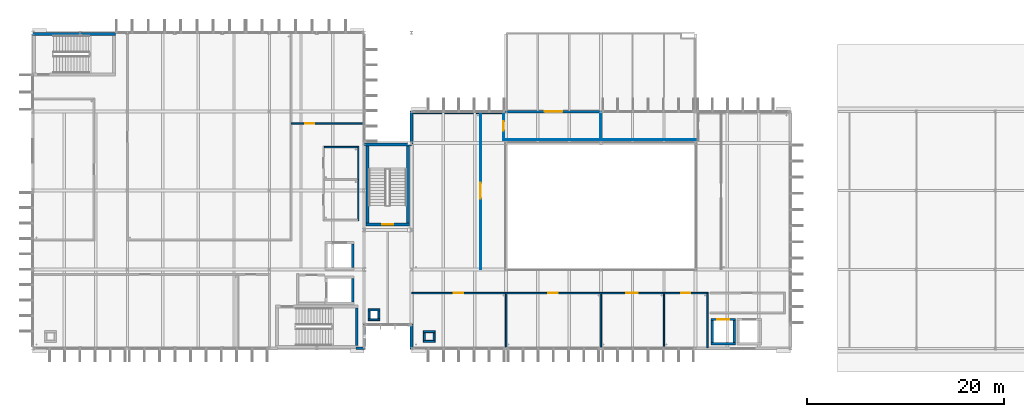
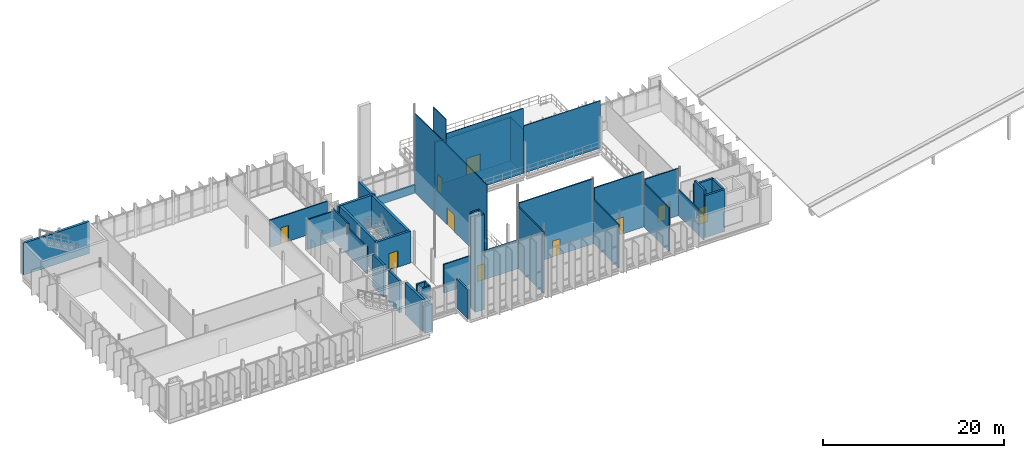
# One storey, part 23 of 41: 43 walls, 10 doors, 10 openings.
"""IFC4 building model written with IfcOpenShell, lengths in metres."""

from ifc_helpers import new_model, si_unit, direction, frame, frame_2d, origin, place, context, subcontext, project, spatial, rectangle, extrude, material, layer, layer_set, type_object, element, fill, save


model = new_model("IFC4")

# Units and contexts
model_context = context("Model", 3, precision=1e-05, world=origin(), true_north=direction((0.0, 1.0)))
body_context = subcontext(model_context, "Body", "Model", "MODEL_VIEW")
ifc_project = project(units=[si_unit("LENGTHUNIT", "METRE"), si_unit("AREAUNIT", "SQUARE_METRE"), si_unit("VOLUMEUNIT", "CUBIC_METRE"), si_unit("PLANEANGLEUNIT", "RADIAN"), si_unit("MASSUNIT", "GRAM", prefix="KILO")], contexts=[model_context])

# Site, building, storey
site_placement = place(None, origin())
site = spatial("IfcSite", under=ifc_project, at=site_placement, CompositionType="ELEMENT")
building_placement = place(site_placement, origin())
building = spatial("IfcBuilding", under=site, at=building_placement, Name="Dunescarp Central Library", CompositionType="ELEMENT")
storey_placement = place(building_placement, frame((0.0, 0.0, 23.10009765625)))
storey = spatial("IfcBuildingStorey", under=building, at=storey_placement, Name="L05", CompositionType="ELEMENT", Elevation=23.10009765625)

# Wall, opening, door
ifc_material_1 = material(Name="Gypsum plasterboard acoustic partition")
ifc_layer_1 = layer(ifc_material_1, 0.14990234375)
ifc_layer_set_1 = layer_set([ifc_layer_1], Name="Gypsum plasterboard acoustic partition")
wall_type_1 = type_object("IfcWallType", Name="ARC-PT-AC150", PredefinedType="PARTITIONING", material=ifc_layer_set_1)
wall_1_placement = place(storey_placement, frame((26.199951171875, 27.60009765625, 0.0), z_axis=(0.0, 0.0, 1.0), x_axis=(1.0, 0.0, 0.0)))
wall_1 = element("IfcWall", 1, at=wall_1_placement, inside=storey, type_object=wall_type_1, Name="L05 partition PT-L05-0132", PredefinedType="PARTITIONING", context=body_context, shape_type="SweptSolid", body=[
    extrude(rectangle(XDim=7.360107421875, YDim=0.14990234375, at=frame_2d((3.68017578125, 0.0))), origin(), (0.0, 0.0, 1.0), 3.661865234375),
])
opening_1_placement = place(wall_1_placement, frame((1.409912109375, 0.0, 0.0)))
opening_1 = element("IfcOpeningElement", 2, at=opening_1_placement, cuts=wall_1, Name="Opening DR-L05-0050", PredefinedType="OPENING", context=body_context, shape_type="SweptSolid", body=[
    extrude(rectangle(XDim=0.949951171875, YDim=2.14990234375, at=frame_2d((0.47509765625, 1.074951171875))), frame((0.0, 0.0849609375, 0.0), z_axis=(0.0, -1.0, 0.0), x_axis=(1.0, 0.0, 0.0)), (0.0, 0.0, 1.0), 0.169921875),
])
ifc_material_2 = material(Name="Hardwood solid-core timber leaf", Category="wood")
door_type_1 = type_object("IfcDoorType", Name="ARC-DR-INT950", OperationType="NOTDEFINED", PredefinedType="DOOR", material=ifc_material_2)
door_1_placement = place(opening_1_placement, origin())
door_1 = element("IfcDoor", 3, at=door_1_placement, inside=storey, type_object=door_type_1, Name="L05 interior door DR-L05-0050", OperationType="SINGLE_SWING_RIGHT", OverallHeight=2.14990234375, OverallWidth=0.949951171875, PredefinedType="DOOR", context=body_context, shape_type="SweptSolid", body=[
    extrude(rectangle(XDim=0.949951171875, YDim=2.14990234375, at=frame_2d((0.47509765625, 1.074951171875))), frame((0.0, 0.02490234375, 0.0), z_axis=(0.0, -1.0, 0.0), x_axis=(1.0, 0.0, 0.0)), (0.0, 0.0, 1.0), 0.050048828125),
])
fill(opening_1, door_1)

wall_2_placement = place(storey_placement, frame((38.43994140625, 10.39990234375, 0.0), z_axis=(0.0, 0.0, 1.0), x_axis=(1.0, 0.0, 0.0)))
wall_2 = element("IfcWall", 4, at=wall_2_placement, inside=storey, type_object=wall_type_1, Name="L05 partition PT-L05-0238", PredefinedType="PARTITIONING", context=body_context, shape_type="SweptSolid", body=[
    extrude(rectangle(XDim=9.485107421875, YDim=0.14990234375, at=frame_2d((4.74267578125, 0.0))), origin(), (0.0, 0.0, 1.0), 3.85888671875),
])
opening_2_placement = place(wall_2_placement, frame((4.26806640625, 0.0, 0.0)))
opening_2 = element("IfcOpeningElement", 5, at=opening_2_placement, cuts=wall_2, Name="Opening DR-L05-0098", PredefinedType="OPENING", context=body_context, shape_type="SweptSolid", body=[
    extrude(rectangle(XDim=0.949951171875, YDim=2.14990234375, at=frame_2d((0.47509765625, 1.074951171875))), frame((0.0, 0.0849609375, 0.0), z_axis=(0.0, -1.0, 0.0), x_axis=(1.0, 0.0, 0.0)), (0.0, 0.0, 1.0), 0.169921875),
])
door_2_placement = place(opening_2_placement, origin())
door_2 = element("IfcDoor", 6, at=door_2_placement, inside=storey, type_object=door_type_1, Name="L05 interior door DR-L05-0098", OperationType="SINGLE_SWING_RIGHT", OverallHeight=2.14990234375, OverallWidth=0.949951171875, PredefinedType="DOOR", context=body_context, shape_type="SweptSolid", body=[
    extrude(rectangle(XDim=0.949951171875, YDim=2.14990234375, at=frame_2d((0.47509765625, 1.074951171875))), frame((0.0, 0.02490234375, 0.0), z_axis=(0.0, -1.0, 0.0), x_axis=(1.0, 0.0, 0.0)), (0.0, 0.0, 1.0), 0.050048828125),
])
fill(opening_2, door_2)

# Wall
wall_3_placement = place(storey_placement, frame((48.0, 4.840087890625, 0.0), z_axis=(0.0, 0.0, 1.0), x_axis=(0.0, 1.0, 0.0)))
element("IfcWall", 7, at=wall_3_placement, inside=storey, type_object=wall_type_1, Name="L05 partition PT-L05-0239", PredefinedType="PARTITIONING", context=body_context, shape_type="SweptSolid", body=[
    extrude(rectangle(XDim=5.635009765625, YDim=0.14990234375, at=frame_2d((2.8173828125, 0.0))), origin(), (0.0, 0.0, 1.0), 8.27294921875),
])

# Wall, opening, door
wall_4_placement = place(storey_placement, frame((48.0, 10.39990234375, 0.0), z_axis=(0.0, 0.0, 1.0), x_axis=(1.0, 0.0, 0.0)))
wall_4 = element("IfcWall", 8, at=wall_4_placement, inside=storey, type_object=wall_type_1, Name="L05 partition PT-L05-0240", PredefinedType="PARTITIONING", context=body_context, shape_type="SweptSolid", body=[
    extrude(rectangle(XDim=9.52490234375, YDim=0.14990234375, at=frame_2d((4.762451171875, 0.0))), origin(), (0.0, 0.0, 1.0), 8.77392578125),
])
opening_3_placement = place(wall_4_placement, frame((4.287109375, 0.0, 0.0)))
opening_3 = element("IfcOpeningElement", 9, at=opening_3_placement, cuts=wall_4, Name="Opening DR-L05-0099", PredefinedType="OPENING", context=body_context, shape_type="SweptSolid", body=[
    extrude(rectangle(XDim=0.949951171875, YDim=2.14990234375, at=frame_2d((0.47509765625, 1.074951171875))), frame((0.0, 0.0849609375, 0.0), z_axis=(0.0, -1.0, 0.0), x_axis=(1.0, 0.0, 0.0)), (0.0, 0.0, 1.0), 0.169921875),
])
door_3_placement = place(opening_3_placement, origin())
door_3 = element("IfcDoor", 10, at=door_3_placement, inside=storey, type_object=door_type_1, Name="L05 interior door DR-L05-0099", OperationType="SINGLE_SWING_LEFT", OverallHeight=2.14990234375, OverallWidth=0.949951171875, PredefinedType="DOOR", context=body_context, shape_type="SweptSolid", body=[
    extrude(rectangle(XDim=0.949951171875, YDim=2.14990234375, at=frame_2d((0.47509765625, 1.074951171875))), frame((0.0, 0.02490234375, 0.0), z_axis=(0.0, -1.0, 0.0), x_axis=(1.0, 0.0, 0.0)), (0.0, 0.0, 1.0), 0.050048828125),
])
fill(opening_3, door_3)

# Wall
wall_5_placement = place(storey_placement, frame((57.60009765625, 4.840087890625, 0.0), z_axis=(0.0, 0.0, 1.0), x_axis=(0.0, 1.0, 0.0)))
element("IfcWall", 11, at=wall_5_placement, inside=storey, type_object=wall_type_1, Name="L05 partition PT-L05-0241", PredefinedType="PARTITIONING", context=body_context, shape_type="SweptSolid", body=[
    extrude(rectangle(XDim=5.635009765625, YDim=0.14990234375, at=frame_2d((2.8173828125, 0.0))), origin(), (0.0, 0.0, 1.0), 5.872802734375),
])

# Wall, opening, door
wall_6_placement = place(storey_placement, frame((57.60009765625, 10.39990234375, 0.0), z_axis=(0.0, 0.0, 1.0), x_axis=(1.0, 0.0, 0.0)))
wall_6 = element("IfcWall", 12, at=wall_6_placement, inside=storey, type_object=wall_type_1, Name="L05 partition PT-L05-0242", PredefinedType="PARTITIONING", context=body_context, shape_type="SweptSolid", body=[
    extrude(rectangle(XDim=6.324951171875, YDim=0.14990234375, at=frame_2d((3.16259765625, 0.0))), origin(), (0.0, 0.0, 1.0), 7.451904296875),
])
opening_4_placement = place(wall_6_placement, frame((2.5869140625, 0.0, 0.0)))
opening_4 = element("IfcOpeningElement", 13, at=opening_4_placement, cuts=wall_6, Name="Opening DR-L05-0100", PredefinedType="OPENING", context=body_context, shape_type="SweptSolid", body=[
    extrude(rectangle(XDim=1.14990234375, YDim=2.25, at=frame_2d((0.574951171875, 1.125))), frame((0.0, 0.0849609375, 0.0), z_axis=(0.0, -1.0, 0.0), x_axis=(1.0, 0.0, 0.0)), (0.0, 0.0, 1.0), 0.169921875),
])
door_type_2 = type_object("IfcDoorType", Name="ARC-DR-STD1150", OperationType="NOTDEFINED", PredefinedType="DOOR", material=ifc_material_2)
door_4_placement = place(opening_4_placement, origin())
door_4 = element("IfcDoor", 14, at=door_4_placement, inside=storey, type_object=door_type_2, Name="L05 interior door DR-L05-0100", OperationType="SINGLE_SWING_RIGHT", OverallHeight=2.25, OverallWidth=1.14990234375, PredefinedType="DOOR", context=body_context, shape_type="SweptSolid", body=[
    extrude(rectangle(XDim=1.14990234375, YDim=2.25, at=frame_2d((0.574951171875, 1.125))), frame((0.0, 0.02490234375, 0.0), z_axis=(0.0, -1.0, 0.0), x_axis=(1.0, 0.0, 0.0)), (0.0, 0.0, 1.0), 0.050048828125),
])
fill(opening_4, door_4)

ifc_material_3 = material(Name="Solar-control laminated double glazing", Category="glass")
ifc_layer_2 = layer(ifc_material_3, 0.10009765625)
ifc_layer_set_2 = layer_set([ifc_layer_2], Name="Solar-control laminated double glazing")
wall_type_2 = type_object("IfcWallType", Name="ARC-PT-GLZ100", PredefinedType="MOVABLE", material=ifc_layer_set_2)
wall_7_placement = place(storey_placement, frame((45.39990234375, 12.800048828125, 0.0), z_axis=(0.0, 0.0, 1.0), x_axis=(0.0, 1.0, 0.0)))
wall_7 = element("IfcWall", 15, at=wall_7_placement, inside=storey, type_object=wall_type_2, Name="L05 partition PT-L05-0246", PredefinedType="MOVABLE", context=body_context, shape_type="SweptSolid", body=[
    extrude(rectangle(XDim=15.9599609375, YDim=0.10009765625, at=frame_2d((7.97998046875, 0.0))), origin(), (0.0, 0.0, 1.0), 10.666015625),
])
opening_5_placement = place(wall_7_placement, frame((7.179931640625, 0.0, 0.0)))
opening_5 = element("IfcOpeningElement", 16, at=opening_5_placement, cuts=wall_7, Name="Opening DR-L05-0102", PredefinedType="OPENING", context=body_context, shape_type="SweptSolid", body=[
    extrude(rectangle(XDim=1.60009765625, YDim=2.25, at=frame_2d((0.800048828125, 1.125))), frame((0.0, 0.06005859375, 0.0), z_axis=(0.0, -1.0, 0.0), x_axis=(1.0, 0.0, 0.0)), (0.0, 0.0, 1.0), 0.1201171875),
])
ifc_material_4 = material(Name="Marine-grade anodised aluminium 6063-T6", Category="aluminium")
door_type_3 = type_object("IfcDoorType", Name="ARC-DR-DBL1600", OperationType="DOUBLE_DOOR_SINGLE_SWING", PredefinedType="DOOR", material=ifc_material_4)
door_5_placement = place(opening_5_placement, origin())
door_5 = element("IfcDoor", 17, at=door_5_placement, inside=storey, type_object=door_type_3, Name="L05 interior door DR-L05-0102", OperationType="DOUBLE_DOOR_SINGLE_SWING", OverallHeight=2.25, OverallWidth=1.60009765625, PredefinedType="DOOR", context=body_context, shape_type="SweptSolid", body=[
    extrude(rectangle(XDim=1.60009765625, YDim=2.25, at=frame_2d((0.800048828125, 1.125))), frame((0.0, 0.02490234375, 0.0), z_axis=(0.0, -1.0, 0.0), x_axis=(1.0, 0.0, 0.0)), (0.0, 0.0, 1.0), 0.050048828125),
])
fill(opening_5, door_5)

# Wall
wall_8_placement = place(storey_placement, frame((47.800048828125, 25.949951171875, 0.0), z_axis=(0.0, 0.0, 1.0), x_axis=(1.0, 0.0, 0.0)))
element("IfcWall", 18, at=wall_8_placement, inside=storey, type_object=wall_type_2, Name="L05 partition PT-L05-0248", PredefinedType="MOVABLE", context=body_context, shape_type="SweptSolid", body=[
    extrude(rectangle(XDim=9.75, YDim=0.10009765625, at=frame_2d((4.875, 0.0))), origin(), (0.0, 0.0, 1.0), 8.77392578125),
])

# Wall, opening, door
wall_9_placement = place(storey_placement, frame((47.75, 25.89990234375, 0.0), z_axis=(0.0, 0.0, 1.0), x_axis=(0.0, 1.0, 0.0)))
wall_9 = element("IfcWall", 19, at=wall_9_placement, inside=storey, type_object=wall_type_2, Name="L05 partition PT-L05-0249", PredefinedType="MOVABLE", context=body_context, shape_type="SweptSolid", body=[
    extrude(rectangle(XDim=2.860107421875, YDim=0.10009765625, at=frame_2d((1.43017578125, 0.0))), origin(), (0.0, 0.0, 1.0), 10.666015625),
])
opening_6_placement = place(wall_9_placement, frame((0.955078125, 0.0, 0.0)))
opening_6 = element("IfcOpeningElement", 20, at=opening_6_placement, cuts=wall_9, Name="Opening DR-L05-0104", PredefinedType="OPENING", context=body_context, shape_type="SweptSolid", body=[
    extrude(rectangle(XDim=0.949951171875, YDim=2.14990234375, at=frame_2d((0.47509765625, 1.074951171875))), frame((0.0, 0.06005859375, 0.0), z_axis=(0.0, -1.0, 0.0), x_axis=(1.0, 0.0, 0.0)), (0.0, 0.0, 1.0), 0.1201171875),
])
door_6_placement = place(opening_6_placement, origin())
door_6 = element("IfcDoor", 21, at=door_6_placement, inside=storey, type_object=door_type_1, Name="L05 interior door DR-L05-0104", OperationType="SINGLE_SWING_RIGHT", OverallHeight=2.14990234375, OverallWidth=0.949951171875, PredefinedType="DOOR", context=body_context, shape_type="SweptSolid", body=[
    extrude(rectangle(XDim=0.949951171875, YDim=2.14990234375, at=frame_2d((0.47509765625, 1.074951171875))), frame((0.0, 0.02490234375, 0.0), z_axis=(0.0, -1.0, 0.0), x_axis=(1.0, 0.0, 0.0)), (0.0, 0.0, 1.0), 0.050048828125),
])
fill(opening_6, door_6)

# Walls
wall_10_placement = place(storey_placement, frame((57.60009765625, 25.89990234375, 0.0), z_axis=(0.0, 0.0, 1.0), x_axis=(0.0, 1.0, 0.0)))
element("IfcWall", 22, at=wall_10_placement, inside=storey, type_object=wall_type_2, Name="L05 partition PT-L05-0250", PredefinedType="MOVABLE", context=body_context, shape_type="SweptSolid", body=[
    extrude(rectangle(XDim=2.860107421875, YDim=0.10009765625, at=frame_2d((1.43017578125, 0.0))), origin(), (0.0, 0.0, 1.0), 5.865966796875),
])
wall_11_placement = place(storey_placement, frame((57.60009765625, 25.949951171875, 0.0), z_axis=(0.0, 0.0, 1.0), x_axis=(1.0, 0.0, 0.0)))
element("IfcWall", 23, at=wall_11_placement, inside=storey, type_object=wall_type_2, Name="L05 partition PT-L05-0251", PredefinedType="MOVABLE", context=body_context, shape_type="SweptSolid", body=[
    extrude(rectangle(XDim=9.7998046875, YDim=0.10009765625, at=frame_2d((4.89990234375, 0.0))), origin(), (0.0, 0.0, 1.0), 6.3740234375),
])
ifc_material_5 = material(Name="Autoclaved aerated concrete block", Category="concrete")
ifc_layer_3 = layer(ifc_material_5, 0.139892578125)
ifc_layer_set_3 = layer_set([ifc_layer_3], Name="Autoclaved aerated concrete block")
wall_type_3 = type_object("IfcWallType", Name="ARC-PT-WET140", PredefinedType="PARTITIONING", material=ifc_layer_set_3)
wall_12_placement = place(storey_placement, frame((33.0, 17.72998046875, 0.0), z_axis=(0.0, 0.0, 1.0), x_axis=(0.0, 1.0, 0.0)))
element("IfcWall", 24, at=wall_12_placement, inside=storey, type_object=wall_type_3, Name="L05 partition PT-L05-0118", PredefinedType="PARTITIONING", context=body_context, shape_type="SweptSolid", body=[
    extrude(rectangle(XDim=4.239990234375, YDim=0.139892578125, at=frame_2d((2.1201171875, 0.0))), origin(), (0.0, 0.0, 1.0), 3.65283203125),
])
wall_13_placement = place(storey_placement, frame((29.570068359375, 25.199951171875, 0.0), z_axis=(0.0, 0.0, 1.0), x_axis=(1.0, 0.0, 0.0)))
element("IfcWall", 25, at=wall_13_placement, inside=storey, type_object=wall_type_3, Name="L05 partition PT-L05-0119", PredefinedType="PARTITIONING", context=body_context, shape_type="SweptSolid", body=[
    extrude(rectangle(XDim=3.35986328125, YDim=0.139892578125, at=frame_2d((1.679931640625, 0.0))), origin(), (0.0, 0.0, 1.0), 3.994873046875),
])
wall_14_placement = place(storey_placement, frame((33.0, 21.89990234375, 0.0), z_axis=(0.0, 0.0, 1.0), x_axis=(0.0, 1.0, 0.0)))
element("IfcWall", 26, at=wall_14_placement, inside=storey, type_object=wall_type_3, Name="L05 partition PT-L05-0121", PredefinedType="PARTITIONING", context=body_context, shape_type="SweptSolid", body=[
    extrude(rectangle(XDim=3.3701171875, YDim=0.139892578125, at=frame_2d((1.68505859375, 0.0))), origin(), (0.0, 0.0, 1.0), 4.289794921875),
])

# Wall, opening, door
wall_15_placement = place(storey_placement, frame((64.070068359375, 10.39990234375, 0.0), z_axis=(0.0, 0.0, 1.0), x_axis=(1.0, 0.0, 0.0)))
wall_15 = element("IfcWall", 27, at=wall_15_placement, inside=storey, type_object=wall_type_3, Name="L05 partition PT-L05-0235", PredefinedType="PARTITIONING", context=body_context, shape_type="SweptSolid", body=[
    extrude(rectangle(XDim=4.260009765625, YDim=0.139892578125, at=frame_2d((2.1298828125, 0.0))), origin(), (0.0, 0.0, 1.0), 6.350830078125),
])
opening_7_placement = place(wall_15_placement, frame((1.655029296875, 0.0, 0.0)))
opening_7 = element("IfcOpeningElement", 28, at=opening_7_placement, cuts=wall_15, Name="Opening DR-L05-0097", PredefinedType="OPENING", context=body_context, shape_type="SweptSolid", body=[
    extrude(rectangle(XDim=0.949951171875, YDim=2.10009765625, at=frame_2d((0.47509765625, 1.050048828125))), frame((0.0, 0.080078125, 0.0), z_axis=(0.0, -1.0, 0.0), x_axis=(1.0, 0.0, 0.0)), (0.0, 0.0, 1.0), 0.159912109375),
])
door_type_4 = type_object("IfcDoorType", Name="ARC-DR-WC950", OperationType="NOTDEFINED", PredefinedType="DOOR", material=ifc_material_2)
door_7_placement = place(opening_7_placement, origin())
door_7 = element("IfcDoor", 29, at=door_7_placement, inside=storey, type_object=door_type_4, Name="L05 interior door DR-L05-0097", OperationType="SINGLE_SWING_LEFT", OverallHeight=2.10009765625, OverallWidth=0.949951171875, PredefinedType="DOOR", context=body_context, shape_type="SweptSolid", body=[
    extrude(rectangle(XDim=0.949951171875, YDim=2.10009765625, at=frame_2d((0.47509765625, 1.050048828125))), frame((0.0, 0.02490234375, 0.0), z_axis=(0.0, -1.0, 0.0), x_axis=(1.0, 0.0, 0.0)), (0.0, 0.0, 1.0), 0.050048828125),
])
fill(opening_7, door_7)

# Walls
wall_16_placement = place(storey_placement, frame((64.0, 4.840087890625, 0.0), z_axis=(0.0, 0.0, 1.0), x_axis=(0.0, 1.0, 0.0)))
element("IfcWall", 30, at=wall_16_placement, inside=storey, type_object=wall_type_3, Name="L05 partition PT-L05-0236", PredefinedType="PARTITIONING", context=body_context, shape_type="SweptSolid", body=[
    extrude(rectangle(XDim=5.6298828125, YDim=0.139892578125, at=frame_2d((2.81494140625, 0.0))), origin(), (0.0, 0.0, 1.0), 5.872802734375),
])
wall_17_placement = place(storey_placement, frame((68.39990234375, 4.840087890625, 0.0), z_axis=(0.0, 0.0, 1.0), x_axis=(0.0, 1.0, 0.0)))
element("IfcWall", 31, at=wall_17_placement, inside=storey, type_object=wall_type_3, Name="L05 partition PT-L05-0237", PredefinedType="PARTITIONING", context=body_context, shape_type="SweptSolid", body=[
    extrude(rectangle(XDim=5.6298828125, YDim=0.139892578125, at=frame_2d((2.81494140625, 0.0))), origin(), (0.0, 0.0, 1.0), 3.472900390625),
])

# Wall, opening, door
ifc_material_6 = material(Name="Glass-fibre reinforced concrete GRC", Category="concrete")
ifc_layer_4 = layer(ifc_material_6, 0.260009765625)
ifc_layer_set_4 = layer_set([ifc_layer_4], Name="Glass-fibre reinforced concrete GRC")
wall_type_4 = type_object("IfcWallType", Name="ARC-WL-GRC260", PredefinedType="SOLIDWALL", material=ifc_layer_set_4)
wall_18_placement = place(storey_placement, frame((47.9150390625, 28.800048828125, 0.0), z_axis=(0.0, 0.0, 1.0), x_axis=(1.0, 0.0, 0.0)))
wall_18 = element("IfcWall", 32, at=wall_18_placement, inside=storey, type_object=wall_type_4, Name="L05 external wall EW-V2-060", PredefinedType="SOLIDWALL", context=body_context, shape_type="SweptSolid", body=[
    extrude(rectangle(XDim=9.77001953125, YDim=0.260009765625, at=frame_2d((4.885009765625, 0.0))), origin(), (0.0, 0.0, 1.0), 5.865966796875),
])
opening_8_placement = place(wall_18_placement, frame((3.985107421875, 0.0, 0.0)))
opening_8 = element("IfcOpeningElement", 33, at=opening_8_placement, cuts=wall_18, Name="Opening TD-L05-V2N", PredefinedType="OPENING", context=body_context, shape_type="SweptSolid", body=[
    extrude(rectangle(XDim=1.800048828125, YDim=2.300048828125, at=frame_2d((0.89990234375, 1.14990234375))), frame((0.0, 0.14013671875, 0.0), z_axis=(0.0, -1.0, 0.0), x_axis=(1.0, 0.0, 0.0)), (0.0, 0.0, 1.0), 0.280029296875),
])
door_type_5 = type_object("IfcDoorType", Name="ARC-DR-TER1800", OperationType="NOTDEFINED", PredefinedType="DOOR", material=ifc_material_4)
door_8_placement = place(opening_8_placement, origin())
door_8 = element("IfcDoor", 34, at=door_8_placement, inside=storey, type_object=door_type_5, Name="L05 external door TD-L05-V2N", OperationType="SINGLE_SWING_LEFT", OverallHeight=2.300048828125, OverallWidth=1.800048828125, PredefinedType="DOOR", context=body_context, shape_type="SweptSolid", body=[
    extrude(rectangle(XDim=1.800048828125, YDim=2.300048828125, at=frame_2d((0.89990234375, 1.14990234375))), frame((0.0, 0.02490234375, 0.0), z_axis=(0.0, -1.0, 0.0), x_axis=(1.0, 0.0, 0.0)), (0.0, 0.0, 1.0), 0.050048828125),
])
fill(opening_8, door_8)

# Walls
wall_19_placement = place(storey_placement, frame((38.39990234375, 4.715087890625, 0.0), z_axis=(0.0, 0.0, 1.0), x_axis=(0.0, 1.0, 0.0)))
element("IfcWall", 35, at=wall_19_placement, inside=storey, type_object=wall_type_4, Name="L05 external wall EW-V2-061", PredefinedType="SOLIDWALL", context=body_context, shape_type="SweptSolid", body=[
    extrude(rectangle(XDim=2.56982421875, YDim=0.260009765625, at=frame_2d((1.284912109375, 0.0))), origin(), (0.0, 0.0, 1.0), 3.85888671875),
])
wall_20_placement = place(storey_placement, frame((38.39990234375, 25.514892578125, 0.0), z_axis=(0.0, 0.0, 1.0), x_axis=(0.0, 1.0, 0.0)))
element("IfcWall", 36, at=wall_20_placement, inside=storey, type_object=wall_type_4, Name="L05 external wall EW-V2-062", PredefinedType="SOLIDWALL", context=body_context, shape_type="SweptSolid", body=[
    extrude(rectangle(XDim=3.3701171875, YDim=0.260009765625, at=frame_2d((1.68505859375, 0.0))), origin(), (0.0, 0.0, 1.0), 3.85888671875),
])
ifc_layer_5 = layer(ifc_material_6, 0.280029296875)
ifc_layer_set_5 = layer_set([ifc_layer_5], Name="Glass-fibre reinforced concrete GRC")
wall_type_5 = type_object("IfcWallType", Name="ARC-WL-GRC280", PredefinedType="SOLIDWALL", material=ifc_layer_set_5)
wall_21_placement = place(storey_placement, frame((33.68505859375, 4.800048828125, 0.0), z_axis=(0.0, 0.0, 1.0), x_axis=(-1.0, 0.0, 0.0)))
element("IfcWall", 37, at=wall_21_placement, inside=storey, type_object=wall_type_5, Name="L05 external wall EW-V1-023", PredefinedType="SOLIDWALL", context=body_context, shape_type="SweptSolid", body=[
    extrude(rectangle(XDim=0.920166015625, YDim=0.280029296875, at=frame_2d((0.4599609375, 0.0))), origin(), (0.0, 0.0, 1.0), 3.65283203125),
])
wall_22_placement = place(storey_placement, frame((33.60009765625, 7.284912109375, 0.0), z_axis=(0.0, 0.0, 1.0), x_axis=(0.0, -1.0, 0.0)))
element("IfcWall", 38, at=wall_22_placement, inside=storey, type_object=wall_type_5, Name="L05 external wall EW-V1-025", PredefinedType="SOLIDWALL", context=body_context, shape_type="SweptSolid", body=[
    extrude(rectangle(XDim=2.56982421875, YDim=0.280029296875, at=frame_2d((1.284912109375, 0.0))), origin(), (0.0, 0.0, 1.0), 3.65283203125),
])
ifc_material_7 = material(Name="Concrete C35/45", Category="concrete")
ifc_layer_6 = layer(ifc_material_7, 0.2099609375)
ifc_layer_set_6 = layer_set([ifc_layer_6], Name="Concrete C35/45")
wall_type_6 = type_object("IfcWallType", Name="ARC-WL-PAR1100", PredefinedType="PARAPET", material=ifc_layer_set_6)
wall_23_placement = place(storey_placement, frame((38.449951171875, 28.699951171875, 0.0), z_axis=(0.0, 0.0, 1.0), x_axis=(1.0, 0.0, 0.0)))
element("IfcWall", 39, at=wall_23_placement, inside=storey, type_object=wall_type_6, Name="L05 setback parapet PAR-V2L5-W", PredefinedType="PARAPET", context=body_context, shape_type="SweptSolid", body=[
    extrude(rectangle(XDim=9.5, YDim=0.199951171875, at=frame_2d((4.75, 0.0))), origin(), (0.0, 0.0, 1.0), 1.099853515625),
])
ifc_layer_7 = layer(ifc_material_7, 0.199951171875)
ifc_layer_set_7 = layer_set([ifc_layer_7], Name="Concrete C35/45")
wall_type_7 = type_object("IfcWallType", Name="ARC-WL-RISER200", PredefinedType="PARTITIONING", material=ifc_layer_set_7)
for number, where, z_axis, x_axis, name in (
    (40, (40.800048828125, 5.5, 0.0), (0.0, 0.0, 1.0), (-1.0, 0.0, 0.0), "L05 V2 duct shaft wall S"),
    (41, (39.60009765625, 6.5, 0.0), (0.0, 0.0, 1.0), (1.0, 0.0, 0.0), "L05 V2 duct shaft wall N"),
):
    element("IfcWall", number, at=place(storey_placement, frame(where, z_axis=z_axis, x_axis=x_axis)), inside=storey, type_object=wall_type_7, Name=name, PredefinedType="PARTITIONING", context=body_context, shape_type="SweptSolid", body=[
        extrude(rectangle(XDim=1.199951171875, YDim=0.199951171875, at=frame_2d((0.60009765625, 0.0))), origin(), (0.0, 0.0, 1.0), 12.7978515625),
    ])
for number, where, z_axis, x_axis, name in (
    (42, (39.699951171875, 5.6201171875, 0.0), (0.0, 0.0, 1.0), (0.0, 1.0, 0.0), "L05 V2 duct shaft wall W"),
    (43, (40.699951171875, 6.3798828125, 0.0), (0.0, 0.0, 1.0), (0.0, -1.0, 0.0), "L05 V2 duct shaft wall E"),
):
    element("IfcWall", number, at=place(storey_placement, frame(where, z_axis=z_axis, x_axis=x_axis)), inside=storey, type_object=wall_type_7, Name=name, PredefinedType="PARTITIONING", context=body_context, shape_type="SweptSolid", body=[
        extrude(rectangle(XDim=0.759765625, YDim=0.199951171875, at=frame_2d((0.3798828125, 0.0))), origin(), (0.0, 0.0, 1.0), 12.7978515625),
    ])
for number, where, z_axis, x_axis, name in (
    (44, (35.199951171875, 7.699951171875, 0.0), (0.0, 0.0, 1.0), (-1.0, 0.0, 0.0), "L05 GL1 duct shaft wall S"),
    (45, (34.0, 8.699951171875, 0.0), (0.0, 0.0, 1.0), (1.0, 0.0, 0.0), "L05 GL1 duct shaft wall N"),
):
    element("IfcWall", number, at=place(storey_placement, frame(where, z_axis=z_axis, x_axis=x_axis)), inside=storey, type_object=wall_type_7, Name=name, PredefinedType="PARTITIONING", context=body_context, shape_type="SweptSolid", body=[
        extrude(rectangle(XDim=1.199951171875, YDim=0.199951171875, at=frame_2d((0.60009765625, 0.0))), origin(), (0.0, 0.0, 1.0), 3.789794921875),
    ])
for number, where, z_axis, x_axis, name in (
    (46, (34.10009765625, 7.820068359375, 0.0), (0.0, 0.0, 1.0), (0.0, 1.0, 0.0), "L05 GL1 duct shaft wall W"),
    (47, (35.10009765625, 8.580078125, 0.0), (0.0, 0.0, 1.0), (0.0, -1.0, 0.0), "L05 GL1 duct shaft wall E"),
):
    element("IfcWall", number, at=place(storey_placement, frame(where, z_axis=z_axis, x_axis=x_axis)), inside=storey, type_object=wall_type_7, Name=name, PredefinedType="PARTITIONING", context=body_context, shape_type="SweptSolid", body=[
        extrude(rectangle(XDim=0.760009765625, YDim=0.199951171875, at=frame_2d((0.3798828125, 0.0))), origin(), (0.0, 0.0, 1.0), 3.789794921875),
    ])
ifc_material_8 = material(Name="Concrete C40/50", Category="concrete")
ifc_layer_8 = layer(ifc_material_8, 0.25)
ifc_layer_set_8 = layer_set([ifc_layer_8], Name="Concrete C40/50")
wall_type_8 = type_object("IfcWallType", Name="STR-WL-CORE250", PredefinedType="SHEAR", material=ifc_layer_set_8)
for number, where, z_axis, x_axis, name in (
    (48, (32.425048828125, 11.89990234375, 0.0), (0.0, 0.0, 1.0), (0.0, -1.0, 0.0), "L05 FFL-1 lift shaft wall E"),
    (49, (32.425048828125, 15.39990234375, 0.0), (0.0, 0.0, 1.0), (0.0, -1.0, 0.0), "L05 SL-1 lift shaft wall E"),
):
    element("IfcWall", number, at=place(storey_placement, frame(where, z_axis=z_axis, x_axis=x_axis)), inside=storey, type_object=wall_type_8, Name=name, PredefinedType="SHEAR", context=body_context, shape_type="SweptSolid", body=[
        extrude(rectangle(XDim=2.39990234375, YDim=0.25, at=frame_2d((1.199951171875, 0.0))), origin(), (0.0, 0.0, 1.0), 4.289794921875),
    ])
wall_24_placement = place(storey_placement, frame((71.25, 5.27490234375, 0.0), z_axis=(0.0, 0.0, 1.0), x_axis=(-1.0, 0.0, 0.0)))
element("IfcWall", 50, at=wall_24_placement, inside=storey, type_object=wall_type_8, Name="L05 PL-1 lift shaft wall S", PredefinedType="SHEAR", context=body_context, shape_type="SweptSolid", body=[
    extrude(rectangle(XDim=2.5, YDim=0.25, at=frame_2d((1.25, 0.0))), origin(), (0.0, 0.0, 1.0), 5.635986328125),
])

# Wall, opening, door
wall_25_placement = place(storey_placement, frame((68.75, 7.72509765625, 0.0), z_axis=(0.0, 0.0, 1.0), x_axis=(1.0, 0.0, 0.0)))
wall_25 = element("IfcWall", 51, at=wall_25_placement, inside=storey, type_object=wall_type_8, Name="L05 PL-1 lift shaft wall N", PredefinedType="SHEAR", context=body_context, shape_type="SweptSolid", body=[
    extrude(rectangle(XDim=2.5, YDim=0.25, at=frame_2d((1.25, 0.0))), origin(), (0.0, 0.0, 1.0), 5.635986328125),
])
opening_9_placement = place(wall_25_placement, frame((0.64990234375, 0.0, 0.0)))
opening_9 = element("IfcOpeningElement", 52, at=opening_9_placement, cuts=wall_25, Name="Opening LD-PL-1-L05", PredefinedType="OPENING", context=body_context, shape_type="SweptSolid", body=[
    extrude(rectangle(XDim=1.199951171875, YDim=2.199951171875, at=frame_2d((0.60009765625, 1.10009765625))), frame((0.0, 0.135009765625, 0.0), z_axis=(0.0, -1.0, 0.0), x_axis=(1.0, 0.0, 0.0)), (0.0, 0.0, 1.0), 0.27001953125),
])
ifc_material_9 = material(Name="Stainless steel Grade 316L", Category="steel")
door_type_6 = type_object("IfcDoorType", Name="ARC-DR-LD1200", OperationType="DOUBLE_DOOR_SLIDING", PredefinedType="DOOR", material=ifc_material_9)
door_9_placement = place(opening_9_placement, origin())
door_9 = element("IfcDoor", 53, at=door_9_placement, inside=storey, type_object=door_type_6, Name="L05 PL-1 lift landing door", OperationType="DOUBLE_DOOR_SLIDING", OverallHeight=2.199951171875, OverallWidth=1.199951171875, PredefinedType="DOOR", context=body_context, shape_type="SweptSolid", body=[
    extrude(rectangle(XDim=1.199951171875, YDim=2.199951171875, at=frame_2d((0.60009765625, 1.10009765625))), frame((0.0, 0.02490234375, 0.0), z_axis=(0.0, -1.0, 0.0), x_axis=(1.0, 0.0, 0.0)), (0.0, 0.0, 1.0), 0.050048828125),
])
fill(opening_9, door_9)

# Walls
wall_26_placement = place(storey_placement, frame((68.875, 5.39990234375, 0.0), z_axis=(0.0, 0.0, 1.0), x_axis=(0.0, 1.0, 0.0)))
element("IfcWall", 54, at=wall_26_placement, inside=storey, type_object=wall_type_8, Name="L05 PL-1 lift shaft wall W", PredefinedType="SHEAR", context=body_context, shape_type="SweptSolid", body=[
    extrude(rectangle(XDim=2.2001953125, YDim=0.25, at=frame_2d((1.10009765625, 0.0))), origin(), (0.0, 0.0, 1.0), 6.22998046875),
])
wall_27_placement = place(storey_placement, frame((71.125, 7.60009765625, 0.0), z_axis=(0.0, 0.0, 1.0), x_axis=(0.0, -1.0, 0.0)))
element("IfcWall", 55, at=wall_27_placement, inside=storey, type_object=wall_type_8, Name="L05 PL-1 lift shaft wall E", PredefinedType="SHEAR", context=body_context, shape_type="SweptSolid", body=[
    extrude(rectangle(XDim=2.2001953125, YDim=0.25, at=frame_2d((1.10009765625, 0.0))), origin(), (0.0, 0.0, 1.0), 5.6669921875),
])
ifc_layer_9 = layer(ifc_material_8, 0.300048828125)
ifc_layer_set_9 = layer_set([ifc_layer_9], Name="Concrete C40/50")
wall_type_9 = type_object("IfcWallType", Name="STR-WL-CORE300", PredefinedType="SHEAR", material=ifc_layer_set_9)
wall_28_placement = place(storey_placement, frame((32.85009765625, 8.89990234375, 0.0), z_axis=(0.0, 0.0, 1.0), x_axis=(0.0, -1.0, 0.0)))
element("IfcWall", 56, at=wall_28_placement, inside=storey, type_object=wall_type_9, Name="L05 ST-1 east core wall", PredefinedType="SHEAR", context=body_context, shape_type="SweptSolid", body=[
    extrude(rectangle(XDim=3.7998046875, YDim=0.300048828125, at=frame_2d((1.89990234375, 0.0))), origin(), (0.0, 0.0, 1.0), 4.289794921875),
])
wall_29_placement = place(storey_placement, frame((0.0, 36.64990234375, 0.0), z_axis=(0.0, 0.0, 1.0), x_axis=(1.0, 0.0, 0.0)))
element("IfcWall", 57, at=wall_29_placement, inside=storey, type_object=wall_type_9, Name="L05 ST-6 north core wall", PredefinedType="SHEAR", context=body_context, shape_type="SweptSolid", body=[
    extrude(rectangle(XDim=8.39990234375, YDim=0.300048828125, at=frame_2d((4.199951171875, 0.0))), origin(), (0.0, 0.0, 1.0), 4.289794921875),
])

# Wall, opening, door
wall_30_placement = place(storey_placement, frame((38.199951171875, 17.35009765625, 0.0), z_axis=(0.0, 0.0, 1.0), x_axis=(-1.0, 0.0, 0.0)))
wall_30 = element("IfcWall", 58, at=wall_30_placement, inside=storey, type_object=wall_type_9, Name="L05 ST-2 south core wall", PredefinedType="SHEAR", context=body_context, shape_type="SweptSolid", body=[
    extrude(rectangle(XDim=4.39990234375, YDim=0.300048828125, at=frame_2d((2.199951171875, 0.0))), origin(), (0.0, 0.0, 1.0), 4.289794921875),
])
opening_10_placement = place(wall_30_placement, frame((1.64990234375, 0.0, 0.0)))
opening_10 = element("IfcOpeningElement", 59, at=opening_10_placement, cuts=wall_30, Name="Opening D-ST-2-L05", PredefinedType="OPENING", context=body_context, shape_type="SweptSolid", body=[
    extrude(rectangle(XDim=1.10009765625, YDim=2.199951171875, at=frame_2d((0.550048828125, 1.10009765625))), frame((0.0, 0.16015625, 0.0), z_axis=(0.0, -1.0, 0.0), x_axis=(1.0, 0.0, 0.0)), (0.0, 0.0, 1.0), 0.320068359375),
])
ifc_material_10 = material(Name="Galvanised steel FD120S", Category="steel")
door_type_7 = type_object("IfcDoorType", Name="ARC-DR-STAIR", OperationType="NOTDEFINED", PredefinedType="DOOR", material=ifc_material_10)
door_10_placement = place(opening_10_placement, origin())
door_10 = element("IfcDoor", 60, at=door_10_placement, inside=storey, type_object=door_type_7, Name="L05 ST-2 fire stair door", OperationType="SINGLE_SWING_LEFT", OverallHeight=2.199951171875, OverallWidth=1.10009765625, PredefinedType="DOOR", context=body_context, shape_type="SweptSolid", body=[
    extrude(rectangle(XDim=1.10009765625, YDim=2.199951171875, at=frame_2d((0.550048828125, 1.10009765625))), frame((0.0, 0.02490234375, 0.0), z_axis=(0.0, -1.0, 0.0), x_axis=(1.0, 0.0, 0.0)), (0.0, 0.0, 1.0), 0.050048828125),
])
fill(opening_10, door_10)

# Walls
wall_31_placement = place(storey_placement, frame((33.6201171875, 25.449951171875, 0.0), z_axis=(0.0, 0.0, 1.0), x_axis=(1.0, 0.0, 0.0)))
element("IfcWall", 61, at=wall_31_placement, inside=storey, type_object=wall_type_9, Name="L05 ST-2 north core wall", PredefinedType="SHEAR", context=body_context, shape_type="SweptSolid", body=[
    extrude(rectangle(XDim=4.759765625, YDim=0.300048828125, at=frame_2d((2.3798828125, 0.0))), origin(), (0.0, 0.0, 1.0), 4.289794921875),
])
for number, where, z_axis, x_axis, name in (
    (62, (33.949951171875, 17.5, 0.0), (0.0, 0.0, 1.0), (0.0, 1.0, 0.0), "L05 ST-2 west core wall"),
    (63, (38.050048828125, 25.300048828125, 0.0), (0.0, 0.0, 1.0), (0.0, -1.0, 0.0), "L05 ST-2 east core wall"),
):
    element("IfcWall", number, at=place(storey_placement, frame(where, z_axis=z_axis, x_axis=x_axis)), inside=storey, type_object=wall_type_9, Name=name, PredefinedType="SHEAR", context=body_context, shape_type="SweptSolid", body=[
        extrude(rectangle(XDim=7.800048828125, YDim=0.300048828125, at=frame_2d((3.89990234375, 0.0))), origin(), (0.0, 0.0, 1.0), 4.289794921875),
    ])

save(model, "model.ifc")
